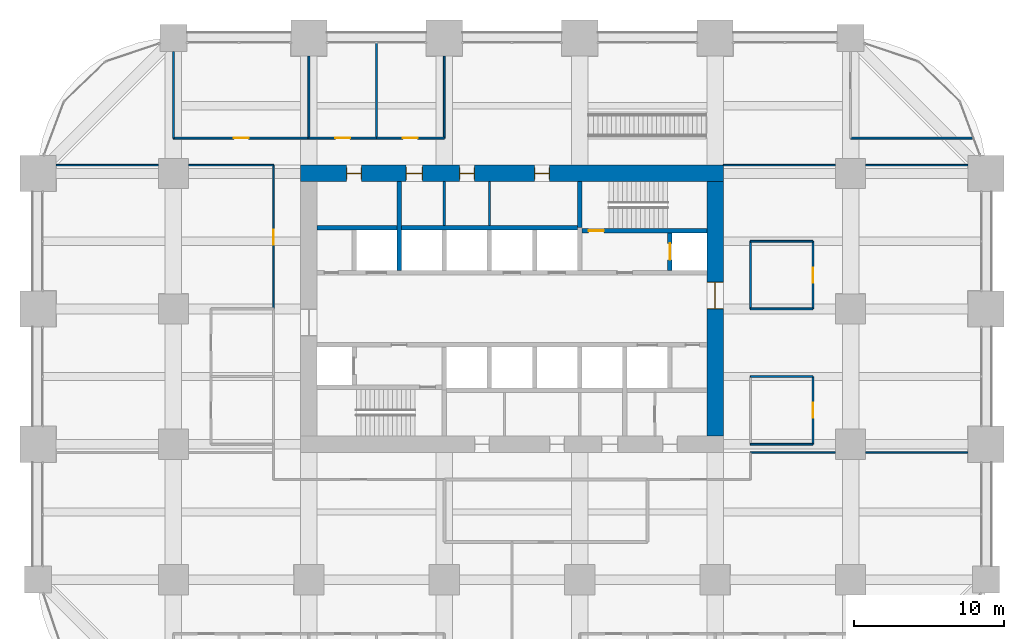
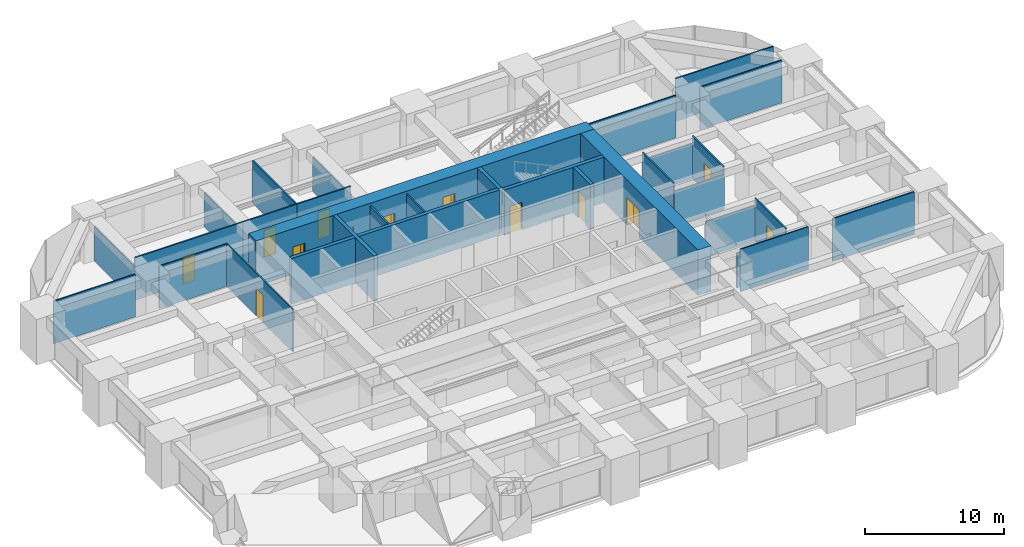
# One storey, part 38 of 41: 31 walls, 13 doors, 13 openings.
"""IFC4 building model written with IfcOpenShell, lengths in metres."""

import ifcopenshell
import ifcopenshell.guid

model = None  # the IFC model being written
_history = None  # IfcOwnerHistory: only IFC2X3 demands one
_inside = {}  # id of a spatial element -> (the spatial element, [elements in it])
_under = {}  # id of a project, library or spatial element -> (it, [spatial elements below it])
_declared = {}  # id of a project -> (the project, [libraries it declares])
_typed = {}  # id of a type object -> (the type object, [elements of that type])
_made_of = {}  # id of a material, layer set ... -> (it, [elements and type objects made of it])


def new_model(schema):
    """Start an empty IFC model of exactly this schema.

    Asked for "IFC4X3", IfcOpenShell would pick the latest addendum, in which some entities
    have other attributes; the version numbers below select the first issue.
    IFC2X3 requires an IfcOwnerHistory on every rooted entity: one is made here for all.
    """
    global model, _history
    if schema == "IFC4X3":
        model = ifcopenshell.file(schema_version=(4, 3, 0, 0))
    else:
        model = ifcopenshell.file(schema=schema)
    _inside.clear()
    _under.clear()
    _declared.clear()
    _typed.clear()
    _made_of.clear()
    _history = None
    if model.schema == "IFC2X3":
        org = make("IfcOrganization", Name="unknown")
        user = make(
            "IfcPersonAndOrganization",
            ThePerson=make("IfcPerson", FamilyName="unknown"),
            TheOrganization=org,
        )
        app = make(
            "IfcApplication",
            ApplicationDeveloper=org,
            Version="unknown",
            ApplicationFullName="unknown",
            ApplicationIdentifier="unknown",
        )
        _history = make(
            "IfcOwnerHistory",
            OwningUser=user,
            OwningApplication=app,
            ChangeAction="ADDED",
            CreationDate=0,
        )
    return model


def make(cls, **values):
    """One entity of the class cls with the attributes given. An attribute that is None is left unset."""
    return model.create_entity(
        cls, **{name: value for name, value in values.items() if value is not None}
    )


def rooted(cls, **values):
    """An entity with a GlobalId (a new one), such as an element, a storey or a relation."""
    return make(cls, GlobalId=ifcopenshell.guid.new(), OwnerHistory=_history, **values)


def si_unit(unit_type, name, prefix=None):
    """IfcSIUnit, for example si_unit("LENGTHUNIT", "METRE", prefix="MILLI")."""
    return make("IfcSIUnit", UnitType=unit_type, Prefix=prefix, Name=name)


def assignment(units):
    """IfcUnitAssignment: the units of a project."""
    return None if units is None else make("IfcUnitAssignment", Units=units)


def point(xyz):
    """IfcCartesianPoint."""
    return None if xyz is None else make("IfcCartesianPoint", Coordinates=xyz)


def direction(xyz):
    """IfcDirection."""
    return None if xyz is None else make("IfcDirection", DirectionRatios=xyz)


def frame(location, z_axis=None, x_axis=None):
    """IfcAxis2Placement3D, a coordinate frame: its origin and axes. An axis left out is left unset."""
    return make(
        "IfcAxis2Placement3D",
        Location=point(location),
        Axis=direction(z_axis),
        RefDirection=direction(x_axis),
    )


def frame_2d(location, x_axis=None):
    """IfcAxis2Placement2D, a coordinate frame in the plane: its origin and x axis."""
    return make(
        "IfcAxis2Placement2D", Location=point(location), RefDirection=direction(x_axis)
    )


def origin():
    """The frame at (0, 0, 0) with its axes left unset."""
    return frame((0.0, 0.0, 0.0))


def place(relative_to, where):
    """IfcLocalPlacement: puts the frame where relative to a parent placement (None: the world)."""
    return make(
        "IfcLocalPlacement", PlacementRelTo=relative_to, RelativePlacement=where
    )


def context(
    kind, dimensions, precision=None, world=None, true_north=None, identifier=None
):
    """IfcGeometricRepresentationContext, for example the 3D "Model" context."""
    return make(
        "IfcGeometricRepresentationContext",
        ContextIdentifier=identifier,
        ContextType=kind,
        CoordinateSpaceDimension=dimensions,
        Precision=precision,
        WorldCoordinateSystem=world,
        TrueNorth=true_north,
    )


def subcontext(parent, identifier, kind, view, scale=None):
    """IfcGeometricRepresentationSubContext, for example "Body" below "Model"."""
    return make(
        "IfcGeometricRepresentationSubContext",
        ContextIdentifier=identifier,
        ContextType=kind,
        ParentContext=parent,
        TargetScale=scale,
        TargetView=view,
    )


def project(units=None, contexts=None):
    """IfcProject with its units and contexts."""
    return rooted(
        "IfcProject",
        Name="project",
        RepresentationContexts=contexts,
        UnitsInContext=assignment(units),
    )


def spatial(cls, under=None, at=None, **own):
    """A site, building, storey or space (cls), placed at a placement, below another one or the project."""
    s = rooted(cls, ObjectPlacement=at, **own)
    if under is not None:
        _under.setdefault(under.id(), (under, []))[1].append(s)
    return s


def profile(cls, at=None, kind="AREA", **sizes):
    """A parametric profile (cls). Its sizes go by their IFC names, for example OverallWidth=200.0."""
    return make(cls, ProfileType=kind, Position=at, **sizes)


def rectangle(**sizes):
    """IfcRectangleProfileDef."""
    return profile("IfcRectangleProfileDef", **sizes)


def extrude(swept, where, along, depth):
    """IfcExtrudedAreaSolid: the profile swept, set in the frame where, extruded along a direction by depth."""
    return make(
        "IfcExtrudedAreaSolid",
        SweptArea=swept,
        Position=where,
        ExtrudedDirection=direction(along),
        Depth=depth,
    )


def shape(context_of_items, identifier, shape_type, items):
    """IfcShapeRepresentation: the items that make up one representation, for example the "Body"."""
    return make(
        "IfcShapeRepresentation",
        ContextOfItems=context_of_items,
        RepresentationIdentifier=identifier,
        RepresentationType=shape_type,
        Items=items,
    )


def material(Name=None, Category=None):
    """IfcMaterial."""
    return make("IfcMaterial", Name=Name, Category=Category)


def layer(
    of_material, thickness, ventilated=None, Name=None, Category=None, Priority=None
):
    """IfcMaterialLayer: one layer of a wall or slab, of a material (None: an air gap)."""
    return make(
        "IfcMaterialLayer",
        Material=of_material,
        LayerThickness=thickness,
        IsVentilated=ventilated,
        Name=Name,
        Category=Category,
        Priority=Priority,
    )


def layer_set(layers, Name=None):
    """IfcMaterialLayerSet."""
    return make("IfcMaterialLayerSet", MaterialLayers=layers, LayerSetName=Name)


def made_of(thing, what):
    """Note that an element or type object is made of a material, layer set ...; save() writes the relation."""
    if what is not None:
        _made_of.setdefault(what.id(), (what, []))[1].append(thing)
    return thing


def type_object(cls, material=None, **own):
    """A type object (cls), such as IfcWallType, which elements share."""
    return made_of(rooted(cls, **own), material)


def element(
    cls,
    number,
    at=None,
    inside=None,
    cuts=None,
    type_object=None,
    material=None,
    context=None,
    identifier="Body",
    shape_type=None,
    held_by="IfcProductDefinitionShape",
    body=None,
    shapes=None,
    **own,
):
    """One element of the class cls, such as IfcWall. Its Tag is "e" and its number.

    at: its placement. inside: the storey or other place that contains it. cuts: it is an
    opening in that element (IfcRelVoidsElement). A single representation is given by context,
    identifier, shape_type and body (its items); several are given by shapes. held_by: the class
    of the entity that holds the representations. save() writes the other relations.
    """
    e = rooted(cls, Tag="e%d" % number, ObjectPlacement=at, **own)
    if body is not None:
        shapes = [shape(context, identifier, shape_type, body)]
    if shapes is not None:
        e.Representation = make(held_by, Representations=shapes)
    if inside is not None:
        _inside.setdefault(inside.id(), (inside, []))[1].append(e)
    if cuts is not None:
        rooted(
            "IfcRelVoidsElement", RelatingBuildingElement=cuts, RelatedOpeningElement=e
        )
    if type_object is not None:
        _typed.setdefault(type_object.id(), (type_object, []))[1].append(e)
    return made_of(e, material)


def fill(opening, filler):
    """IfcRelFillsElement: the door or window that sits in an opening."""
    return rooted(
        "IfcRelFillsElement",
        RelatingOpeningElement=opening,
        RelatedBuildingElement=filler,
    )


def aggregate(whole, parts):
    """IfcRelAggregates: a whole, such as a stair, and the parts it consists of."""
    return rooted("IfcRelAggregates", RelatingObject=whole, RelatedObjects=parts)


def save(model, path):
    """Write the relations noted so far, then the file.

    IfcRelAggregates (storeys below a building ...), IfcRelContainedInSpatialStructure (elements
    in a storey), IfcRelDefinesByType, IfcRelAssociatesMaterial and IfcRelDeclares: one each for
    every whole, place, type object, material and project.
    """
    for whole, parts in _under.values():
        aggregate(whole, parts)
    for where, things in _inside.values():
        rooted(
            "IfcRelContainedInSpatialStructure",
            RelatedElements=things,
            RelatingStructure=where,
        )
    for kind, things in _typed.values():
        rooted("IfcRelDefinesByType", RelatedObjects=things, RelatingType=kind)
    for what, things in _made_of.values():
        rooted("IfcRelAssociatesMaterial", RelatedObjects=things, RelatingMaterial=what)
    for by, libraries in _declared.values():
        rooted("IfcRelDeclares", RelatingContext=by, RelatedDefinitions=libraries)
    model.write(path)


model = new_model("IFC4")

# Units and contexts
model_context = context("Model", 3, precision=1e-05, world=origin(), true_north=direction((0.0, 1.0)))
body_context = subcontext(model_context, "Body", "Model", "MODEL_VIEW")
ifc_project = project(units=[si_unit("LENGTHUNIT", "METRE"), si_unit("AREAUNIT", "SQUARE_METRE"), si_unit("VOLUMEUNIT", "CUBIC_METRE"), si_unit("PLANEANGLEUNIT", "RADIAN"), si_unit("MASSUNIT", "GRAM", prefix="KILO")], contexts=[model_context])

# Site, building, storey
site_placement = place(None, origin())
site = spatial("IfcSite", under=ifc_project, at=site_placement, CompositionType="ELEMENT")
building_placement = place(site_placement, origin())
building = spatial("IfcBuilding", under=site, at=building_placement, Name="Zorevar Civic Tower", CompositionType="ELEMENT")
storey_placement = place(building_placement, frame((0.0, 0.0, 97.0)))
storey = spatial("IfcBuildingStorey", under=building, at=storey_placement, Name="L23", CompositionType="ELEMENT", Elevation=97.0)

# Wall, openings, doors
ifc_material_1 = material(Name="Concrete C50/60", Category="concrete")
ifc_layer_1 = layer(ifc_material_1, 1.10009765625)
ifc_layer_set_1 = layer_set([ifc_layer_1], Name="Core wall 1100")
wall_type_1 = type_object("IfcWallType", Name="Core wall 1100", PredefinedType="SHEAR", material=ifc_layer_set_1)
wall_1_placement = place(storey_placement, frame((45.550048828125, 36.0, 0.0), z_axis=(0.0, 0.0, 1.0), x_axis=(-1.0, 0.0, 0.0)))
wall_1 = element("IfcWall", 1, at=wall_1_placement, inside=storey, type_object=wall_type_1, Name="Core wall N L23", PredefinedType="SHEAR", context=body_context, shape_type="SweptSolid", body=[
    extrude(rectangle(XDim=28.10009765625, YDim=1.10009765625, at=frame_2d((14.050048828125, 0.0))), origin(), (0.0, 0.0, 1.0), 4.0),
])
opening_1_placement = place(wall_1_placement, frame((11.550048828125, 0.0, 0.0)))
opening_1 = element("IfcOpeningElement", 2, at=opening_1_placement, cuts=wall_1, Name="Opening L23.07", PredefinedType="OPENING", context=body_context, shape_type="SweptSolid", body=[
    extrude(rectangle(XDim=1.0, YDim=2.39990234375, at=frame_2d((0.5, 1.199951171875))), frame((0.0, 0.56005859375, 0.0), z_axis=(0.0, -1.0, 0.0), x_axis=(1.0, 0.0, 0.0)), (0.0, 0.0, 1.0), 1.1201171875),
])
opening_2_placement = place(wall_1_placement, frame((16.550048828125, 0.0, 0.0)))
opening_2 = element("IfcOpeningElement", 3, at=opening_2_placement, cuts=wall_1, Name="Opening L23.08", PredefinedType="OPENING", context=body_context, shape_type="SweptSolid", body=[
    extrude(rectangle(XDim=1.0, YDim=2.39990234375, at=frame_2d((0.5, 1.199951171875))), frame((0.0, 0.56005859375, 0.0), z_axis=(0.0, -1.0, 0.0), x_axis=(1.0, 0.0, 0.0)), (0.0, 0.0, 1.0), 1.1201171875),
])
opening_3_placement = place(wall_1_placement, frame((20.0, 0.0, 0.0)))
opening_3 = element("IfcOpeningElement", 4, at=opening_3_placement, cuts=wall_1, Name="Opening L23.09", PredefinedType="OPENING", context=body_context, shape_type="SweptSolid", body=[
    extrude(rectangle(XDim=1.10009765625, YDim=2.39990234375, at=frame_2d((0.550048828125, 1.199951171875))), frame((0.0, 0.56005859375, 0.0), z_axis=(0.0, -1.0, 0.0), x_axis=(1.0, 0.0, 0.0)), (0.0, 0.0, 1.0), 1.1201171875),
])
opening_4_placement = place(wall_1_placement, frame((24.050048828125, 0.0, 0.0)))
opening_4 = element("IfcOpeningElement", 5, at=opening_4_placement, cuts=wall_1, Name="Opening L23.10", PredefinedType="OPENING", context=body_context, shape_type="SweptSolid", body=[
    extrude(rectangle(XDim=1.0, YDim=2.39990234375, at=frame_2d((0.5, 1.199951171875))), frame((0.0, 0.56005859375, 0.0), z_axis=(0.0, -1.0, 0.0), x_axis=(1.0, 0.0, 0.0)), (0.0, 0.0, 1.0), 1.1201171875),
])
ifc_material_2 = material(Name="Timber door set", Category="wood")
door_type_1 = type_object("IfcDoorType", Name="Door D1 1000x2400", OperationType="SINGLE_SWING_LEFT", PredefinedType="DOOR", material=ifc_material_2)
door_1_placement = place(opening_1_placement, origin())
door_1 = element("IfcDoor", 6, at=door_1_placement, inside=storey, type_object=door_type_1, Name="Door L23 06", OperationType="SINGLE_SWING_LEFT", OverallHeight=2.39990234375, OverallWidth=1.0, PredefinedType="DOOR", context=body_context, shape_type="SweptSolid", body=[
    extrude(rectangle(XDim=1.0, YDim=2.39990234375, at=frame_2d((0.5, 1.199951171875))), frame((0.0, 0.02490234375, 0.0), z_axis=(0.0, -1.0, 0.0), x_axis=(1.0, 0.0, 0.0)), (0.0, 0.0, 1.0), 0.050048828125),
    extrude(rectangle(XDim=0.04, YDim=2.39990234375, at=frame_2d((0.02001953125, 1.199951171875))), frame((0.0, 0.39990234375, 0.0), z_axis=(0.0, -1.0, 0.0), x_axis=(1.0, 0.0, 0.0)), (0.0, 0.0, 1.0), 0.800048828125),
    extrude(rectangle(XDim=0.04, YDim=2.39990234375, at=frame_2d((0.97998046875, 1.199951171875))), frame((0.0, 0.39990234375, 0.0), z_axis=(0.0, -1.0, 0.0), x_axis=(1.0, 0.0, 0.0)), (0.0, 0.0, 1.0), 0.800048828125),
    extrude(rectangle(XDim=1.0, YDim=0.04, at=frame_2d((0.5, 2.3798828125))), frame((0.0, 0.39990234375, 0.0), z_axis=(0.0, -1.0, 0.0), x_axis=(1.0, 0.0, 0.0)), (0.0, 0.0, 1.0), 0.800048828125),
])
fill(opening_1, door_1)
door_2_placement = place(opening_2_placement, origin())
door_2 = element("IfcDoor", 7, at=door_2_placement, inside=storey, type_object=door_type_1, Name="Door L23 07", OperationType="SINGLE_SWING_RIGHT", OverallHeight=2.39990234375, OverallWidth=1.0, PredefinedType="DOOR", context=body_context, shape_type="SweptSolid", body=[
    extrude(rectangle(XDim=1.0, YDim=2.39990234375, at=frame_2d((0.5, 1.199951171875))), frame((0.0, 0.02490234375, 0.0), z_axis=(0.0, -1.0, 0.0), x_axis=(1.0, 0.0, 0.0)), (0.0, 0.0, 1.0), 0.050048828125),
    extrude(rectangle(XDim=0.04, YDim=2.39990234375, at=frame_2d((0.02001953125, 1.199951171875))), frame((0.0, 0.39990234375, 0.0), z_axis=(0.0, -1.0, 0.0), x_axis=(1.0, 0.0, 0.0)), (0.0, 0.0, 1.0), 0.800048828125),
    extrude(rectangle(XDim=0.04, YDim=2.39990234375, at=frame_2d((0.97998046875, 1.199951171875))), frame((0.0, 0.39990234375, 0.0), z_axis=(0.0, -1.0, 0.0), x_axis=(1.0, 0.0, 0.0)), (0.0, 0.0, 1.0), 0.800048828125),
    extrude(rectangle(XDim=1.0, YDim=0.04, at=frame_2d((0.5, 2.3798828125))), frame((0.0, 0.39990234375, 0.0), z_axis=(0.0, -1.0, 0.0), x_axis=(1.0, 0.0, 0.0)), (0.0, 0.0, 1.0), 0.800048828125),
])
fill(opening_2, door_2)
door_3_placement = place(opening_4_placement, origin())
door_3 = element("IfcDoor", 8, at=door_3_placement, inside=storey, type_object=door_type_1, Name="Door L23 09", OperationType="SINGLE_SWING_RIGHT", OverallHeight=2.39990234375, OverallWidth=1.0, PredefinedType="DOOR", context=body_context, shape_type="SweptSolid", body=[
    extrude(rectangle(XDim=1.0, YDim=2.39990234375, at=frame_2d((0.5, 1.199951171875))), frame((0.0, 0.02490234375, 0.0), z_axis=(0.0, -1.0, 0.0), x_axis=(1.0, 0.0, 0.0)), (0.0, 0.0, 1.0), 0.050048828125),
    extrude(rectangle(XDim=0.04, YDim=2.39990234375, at=frame_2d((0.02001953125, 1.199951171875))), frame((0.0, 0.39990234375, 0.0), z_axis=(0.0, -1.0, 0.0), x_axis=(1.0, 0.0, 0.0)), (0.0, 0.0, 1.0), 0.800048828125),
    extrude(rectangle(XDim=0.04, YDim=2.39990234375, at=frame_2d((0.97998046875, 1.199951171875))), frame((0.0, 0.39990234375, 0.0), z_axis=(0.0, -1.0, 0.0), x_axis=(1.0, 0.0, 0.0)), (0.0, 0.0, 1.0), 0.800048828125),
    extrude(rectangle(XDim=1.0, YDim=0.04, at=frame_2d((0.5, 2.3798828125))), frame((0.0, 0.39990234375, 0.0), z_axis=(0.0, -1.0, 0.0), x_axis=(1.0, 0.0, 0.0)), (0.0, 0.0, 1.0), 0.800048828125),
])
fill(opening_4, door_3)
ifc_material_3 = material(Name="Timber door set", Category="wood")
door_type_2 = type_object("IfcDoorType", Name="Door D5 1100x2400", OperationType="SINGLE_SWING_LEFT", PredefinedType="DOOR", material=ifc_material_3)
door_4_placement = place(opening_3_placement, origin())
door_4 = element("IfcDoor", 9, at=door_4_placement, inside=storey, type_object=door_type_2, Name="Door L23 08", OperationType="SINGLE_SWING_RIGHT", OverallHeight=2.39990234375, OverallWidth=1.10009765625, PredefinedType="DOOR", context=body_context, shape_type="SweptSolid", body=[
    extrude(rectangle(XDim=1.10009765625, YDim=2.39990234375, at=frame_2d((0.550048828125, 1.199951171875))), frame((0.0, 0.02490234375, 0.0), z_axis=(0.0, -1.0, 0.0), x_axis=(1.0, 0.0, 0.0)), (0.0, 0.0, 1.0), 0.050048828125),
    extrude(rectangle(XDim=0.04, YDim=2.39990234375, at=frame_2d((0.02001953125, 1.199951171875))), frame((0.0, 0.43994140625, 0.0), z_axis=(0.0, -1.0, 0.0), x_axis=(1.0, 0.0, 0.0)), (0.0, 0.0, 1.0), 0.880126953125),
    extrude(rectangle(XDim=0.04, YDim=2.39990234375, at=frame_2d((1.080078125, 1.199951171875))), frame((0.0, 0.43994140625, 0.0), z_axis=(0.0, -1.0, 0.0), x_axis=(1.0, 0.0, 0.0)), (0.0, 0.0, 1.0), 0.880126953125),
    extrude(rectangle(XDim=1.10009765625, YDim=0.04, at=frame_2d((0.550048828125, 2.3798828125))), frame((0.0, 0.43994140625, 0.0), z_axis=(0.0, -1.0, 0.0), x_axis=(1.0, 0.0, 0.0)), (0.0, 0.0, 1.0), 0.880126953125),
])
fill(opening_3, door_4)

# Wall, opening, door
wall_2_placement = place(storey_placement, frame((45.0, 18.550048828125, 0.0), z_axis=(0.0, 0.0, 1.0), x_axis=(0.0, 1.0, 0.0)))
wall_2 = element("IfcWall", 10, at=wall_2_placement, inside=storey, type_object=wall_type_1, Name="Core wall E L23", PredefinedType="SHEAR", context=body_context, shape_type="SweptSolid", body=[
    extrude(rectangle(XDim=16.89990234375, YDim=1.10009765625, at=frame_2d((8.449951171875, 0.0))), origin(), (0.0, 0.0, 1.0), 4.0),
])
opening_5_placement = place(wall_2_placement, frame((8.449951171875, 0.0, 0.0)))
opening_5 = element("IfcOpeningElement", 11, at=opening_5_placement, cuts=wall_2, Name="Opening L23.02", PredefinedType="OPENING", context=body_context, shape_type="SweptSolid", body=[
    extrude(rectangle(XDim=1.800048828125, YDim=2.39990234375, at=frame_2d((0.89990234375, 1.199951171875))), frame((0.0, 0.56005859375, 0.0), z_axis=(0.0, -1.0, 0.0), x_axis=(1.0, 0.0, 0.0)), (0.0, 0.0, 1.0), 1.1201171875),
])
ifc_material_4 = material(Name="Steel door set", Category="steel")
door_type_3 = type_object("IfcDoorType", Name="Fire door FD2 1800x2400", OperationType="DOUBLE_DOOR_DOUBLE_SWING", PredefinedType="DOOR", material=ifc_material_4)
door_5_placement = place(opening_5_placement, origin())
door_5 = element("IfcDoor", 12, at=door_5_placement, inside=storey, type_object=door_type_3, Name="Door L23 01", OperationType="DOUBLE_DOOR_DOUBLE_SWING", OverallHeight=2.39990234375, OverallWidth=1.800048828125, PredefinedType="DOOR", context=body_context, shape_type="SweptSolid", body=[
    extrude(rectangle(XDim=1.800048828125, YDim=2.39990234375, at=frame_2d((0.89990234375, 1.199951171875))), frame((0.0, 0.030029296875, 0.0), z_axis=(0.0, -1.0, 0.0), x_axis=(1.0, 0.0, 0.0)), (0.0, 0.0, 1.0), 0.06005859375),
    extrude(rectangle(XDim=0.04, YDim=2.39990234375, at=frame_2d((0.02001953125, 1.199951171875))), frame((0.0, 0.5498046875, 0.0), z_axis=(0.0, -1.0, 0.0), x_axis=(1.0, 0.0, 0.0)), (0.0, 0.0, 1.0), 1.099609375),
    extrude(rectangle(XDim=0.04, YDim=2.39990234375, at=frame_2d((1.780029296875, 1.199951171875))), frame((0.0, 0.5498046875, 0.0), z_axis=(0.0, -1.0, 0.0), x_axis=(1.0, 0.0, 0.0)), (0.0, 0.0, 1.0), 1.099609375),
    extrude(rectangle(XDim=1.800048828125, YDim=0.04, at=frame_2d((0.89990234375, 2.3798828125))), frame((0.0, 0.5498046875, 0.0), z_axis=(0.0, -1.0, 0.0), x_axis=(1.0, 0.0, 0.0)), (0.0, 0.0, 1.0), 1.099609375),
])
fill(opening_5, door_5)

# Walls
ifc_material_5 = material(Name="Laminated glass in black aluminium frame", Category="aluminium")
ifc_layer_2 = layer(ifc_material_5, 0.10009765625)
ifc_layer_set_2 = layer_set([ifc_layer_2], Name="Glazed partition 100")
wall_type_2 = type_object("IfcWallType", Name="Glazed partition 100", PredefinedType="PARTITIONING", material=ifc_layer_set_2)
wall_3_placement = place(storey_placement, frame((47.35009765625, 17.449951171875, 0.0), z_axis=(0.0, 0.0, 1.0), x_axis=(1.0, 0.0, 0.0)))
element("IfcWall", 13, at=wall_3_placement, inside=storey, type_object=wall_type_2, Name="Glazed partition 100 L23", PredefinedType="PARTITIONING", context=body_context, shape_type="SweptSolid", body=[
    extrude(rectangle(XDim=5.64990234375, YDim=0.10009765625, at=frame_2d((2.824951171875, 0.0))), origin(), (0.0, 0.0, 1.0), 3.75),
])
for number, where, z_axis, x_axis, name in (
    (14, (55.0, 17.449951171875, 0.0), (0.0, 0.0, 1.0), (1.0, 0.0, 0.0), "Glazed partition 100 L23"),
    (15, (1.199951171875, 36.550048828125, 0.0), (0.0, 0.0, 1.0), (1.0, 0.0, 0.0), "Glazed partition 100 L23"),
):
    element("IfcWall", number, at=place(storey_placement, frame(where, z_axis=z_axis, x_axis=x_axis)), inside=storey, type_object=wall_type_2, Name=name, PredefinedType="PARTITIONING", context=body_context, shape_type="SweptSolid", body=[
        extrude(rectangle(XDim=6.800048828125, YDim=0.10009765625, at=frame_2d((3.39990234375, 0.0))), origin(), (0.0, 0.0, 1.0), 3.75),
    ])
wall_4_placement = place(storey_placement, frame((10.0, 36.550048828125, 0.0), z_axis=(0.0, 0.0, 1.0), x_axis=(1.0, 0.0, 0.0)))
element("IfcWall", 16, at=wall_4_placement, inside=storey, type_object=wall_type_2, Name="Glazed partition 100 L23", PredefinedType="PARTITIONING", context=body_context, shape_type="SweptSolid", body=[
    extrude(rectangle(XDim=5.64990234375, YDim=0.10009765625, at=frame_2d((2.824951171875, 0.0))), origin(), (0.0, 0.0, 1.0), 3.75),
])
wall_5_placement = place(storey_placement, frame((45.550048828125, 36.550048828125, 0.0), z_axis=(0.0, 0.0, 1.0), x_axis=(1.0, 0.0, 0.0)))
element("IfcWall", 17, at=wall_5_placement, inside=storey, type_object=wall_type_2, Name="Glazed partition 100 L23", PredefinedType="PARTITIONING", context=body_context, shape_type="SweptSolid", body=[
    extrude(rectangle(XDim=7.449951171875, YDim=0.10009765625, at=frame_2d((3.72509765625, 0.0))), origin(), (0.0, 0.0, 1.0), 3.75),
])
wall_6_placement = place(storey_placement, frame((55.0, 36.550048828125, 0.0), z_axis=(0.0, 0.0, 1.0), x_axis=(1.0, 0.0, 0.0)))
element("IfcWall", 18, at=wall_6_placement, inside=storey, type_object=wall_type_2, Name="Glazed partition 100 L23", PredefinedType="PARTITIONING", context=body_context, shape_type="SweptSolid", body=[
    extrude(rectangle(XDim=6.800048828125, YDim=0.10009765625, at=frame_2d((3.39990234375, 0.0))), origin(), (0.0, 0.0, 1.0), 3.75),
])

# Wall, opening, door
wall_7_placement = place(storey_placement, frame((15.64990234375, 27.0, 0.0), z_axis=(0.0, 0.0, 1.0), x_axis=(0.0, 1.0, 0.0)))
wall_7 = element("IfcWall", 19, at=wall_7_placement, inside=storey, type_object=wall_type_2, Name="Glazed partition 100 L23", PredefinedType="PARTITIONING", context=body_context, shape_type="SweptSolid", body=[
    extrude(rectangle(XDim=9.550048828125, YDim=0.10009765625, at=frame_2d((4.77490234375, 0.0))), origin(), (0.0, 0.0, 1.0), 3.75),
])
opening_6_placement = place(wall_7_placement, frame((4.27490234375, 0.0, 0.0)))
opening_6 = element("IfcOpeningElement", 20, at=opening_6_placement, cuts=wall_7, Name="Opening L23.33", PredefinedType="OPENING", context=body_context, shape_type="SweptSolid", body=[
    extrude(rectangle(XDim=1.0, YDim=2.39990234375, at=frame_2d((0.5, 1.199951171875))), frame((0.0, 0.06005859375, 0.0), z_axis=(0.0, -1.0, 0.0), x_axis=(1.0, 0.0, 0.0)), (0.0, 0.0, 1.0), 0.1201171875),
])
ifc_material_6 = material(Name="Timber door set", Category="wood")
door_type_4 = type_object("IfcDoorType", Name="Glazed door GD1 1000x2400", OperationType="SINGLE_SWING_LEFT", PredefinedType="DOOR", material=ifc_material_6)
door_6_placement = place(opening_6_placement, origin())
door_6 = element("IfcDoor", 21, at=door_6_placement, inside=storey, type_object=door_type_4, Name="Door L23 D1", OperationType="SINGLE_SWING_RIGHT", OverallHeight=2.39990234375, OverallWidth=1.0, PredefinedType="DOOR", context=body_context, shape_type="SweptSolid", body=[
    extrude(rectangle(XDim=1.0, YDim=2.39990234375, at=frame_2d((0.5, 1.199951171875))), frame((0.0, 0.02001953125, 0.0), z_axis=(0.0, -1.0, 0.0), x_axis=(1.0, 0.0, 0.0)), (0.0, 0.0, 1.0), 0.0400390625),
])
fill(opening_6, door_6)

ifc_material_7 = material(Name="Concrete C40/50", Category="concrete")
ifc_layer_3 = layer(ifc_material_7, 0.300048828125)
ifc_layer_set_3 = layer_set([ifc_layer_3], Name="Inner core wall 300")
wall_type_3 = type_object("IfcWallType", Name="Inner core wall 300", PredefinedType="SHEAR", material=ifc_layer_set_3)
wall_8_placement = place(storey_placement, frame((36.14990234375, 32.199951171875, 0.0), z_axis=(0.0, 0.0, 1.0), x_axis=(1.0, 0.0, 0.0)))
wall_8 = element("IfcWall", 22, at=wall_8_placement, inside=storey, type_object=wall_type_3, Name="Inner core wall N00 L23", PredefinedType="SHEAR", context=body_context, shape_type="SweptSolid", body=[
    extrude(rectangle(XDim=8.300048828125, YDim=0.300048828125, at=frame_2d((4.14990234375, 0.0))), origin(), (0.0, 0.0, 1.0), 4.0),
])
opening_7_placement = place(wall_8_placement, frame((0.449951171875, 0.0, 0.0)))
opening_7 = element("IfcOpeningElement", 23, at=opening_7_placement, cuts=wall_8, Name="Opening L23.12", PredefinedType="OPENING", context=body_context, shape_type="SweptSolid", body=[
    extrude(rectangle(XDim=1.0, YDim=2.39990234375, at=frame_2d((0.5, 1.199951171875))), frame((0.0, 0.159912109375, 0.0), z_axis=(0.0, -1.0, 0.0), x_axis=(1.0, 0.0, 0.0)), (0.0, 0.0, 1.0), 0.320068359375),
])
ifc_material_8 = material(Name="Steel door set", Category="steel")
door_type_5 = type_object("IfcDoorType", Name="Fire door FD1 1000x2400", OperationType="SINGLE_SWING_LEFT", PredefinedType="DOOR", material=ifc_material_8)
door_7_placement = place(opening_7_placement, origin())
door_7 = element("IfcDoor", 24, at=door_7_placement, inside=storey, type_object=door_type_5, Name="Door L23 11", OperationType="SINGLE_SWING_RIGHT", OverallHeight=2.39990234375, OverallWidth=1.0, PredefinedType="DOOR", context=body_context, shape_type="SweptSolid", body=[
    extrude(rectangle(XDim=1.0, YDim=2.39990234375, at=frame_2d((0.5, 1.199951171875))), frame((0.0, 0.030029296875, 0.0), z_axis=(0.0, -1.0, 0.0), x_axis=(1.0, 0.0, 0.0)), (0.0, 0.0, 1.0), 0.06005859375),
])
fill(opening_7, door_7)

# Wall
wall_9_placement = place(storey_placement, frame((36.0, 32.39990234375, 0.0), z_axis=(0.0, 0.0, 1.0), x_axis=(0.0, 1.0, 0.0)))
element("IfcWall", 25, at=wall_9_placement, inside=storey, type_object=wall_type_3, Name="Inner core wall N01 L23", PredefinedType="SHEAR", context=body_context, shape_type="SweptSolid", body=[
    extrude(rectangle(XDim=3.050048828125, YDim=0.300048828125, at=frame_2d((1.52490234375, 0.0))), origin(), (0.0, 0.0, 1.0), 4.0),
])

# Wall, opening, door
wall_10_placement = place(storey_placement, frame((42.0, 29.550048828125, 0.0), z_axis=(0.0, 0.0, 1.0), x_axis=(0.0, 1.0, 0.0)))
wall_10 = element("IfcWall", 26, at=wall_10_placement, inside=storey, type_object=wall_type_3, Name="Inner core wall N02 L23", PredefinedType="SHEAR", context=body_context, shape_type="SweptSolid", body=[
    extrude(rectangle(XDim=2.5, YDim=0.300048828125, at=frame_2d((1.25, 0.0))), origin(), (0.0, 0.0, 1.0), 4.0),
])
opening_8_placement = place(wall_10_placement, frame((0.699951171875, 0.0, 0.0)))
opening_8 = element("IfcOpeningElement", 27, at=opening_8_placement, cuts=wall_10, Name="Opening L23.FL2", PredefinedType="OPENING", context=body_context, shape_type="SweptSolid", body=[
    extrude(rectangle(XDim=1.10009765625, YDim=2.39990234375, at=frame_2d((0.550048828125, 1.199951171875))), frame((0.0, 0.159912109375, 0.0), z_axis=(0.0, -1.0, 0.0), x_axis=(1.0, 0.0, 0.0)), (0.0, 0.0, 1.0), 0.320068359375),
])
ifc_material_9 = material(Name="Steel door set", Category="steel")
door_type_6 = type_object("IfcDoorType", Name="Firefighting lift landing door LD3 1100x2400", OperationType="DOUBLE_DOOR_SLIDING", PredefinedType="DOOR", material=ifc_material_9)
door_8_placement = place(opening_8_placement, origin())
door_8 = element("IfcDoor", 28, at=door_8_placement, inside=storey, type_object=door_type_6, Name="Landing door FL2 L23", OperationType="DOUBLE_DOOR_SLIDING", OverallHeight=2.39990234375, OverallWidth=1.10009765625, PredefinedType="DOOR", context=body_context, shape_type="SweptSolid", body=[
    extrude(rectangle(XDim=1.10009765625, YDim=2.39990234375, at=frame_2d((0.550048828125, 1.199951171875))), frame((0.0, 0.030029296875, 0.0), z_axis=(0.0, -1.0, 0.0), x_axis=(1.0, 0.0, 0.0)), (0.0, 0.0, 1.0), 0.06005859375),
])
fill(opening_8, door_8)

# Walls
wall_11_placement = place(storey_placement, frame((18.550048828125, 32.39990234375, 0.0), z_axis=(0.0, 0.0, 1.0), x_axis=(1.0, 0.0, 0.0)))
element("IfcWall", 29, at=wall_11_placement, inside=storey, type_object=wall_type_3, Name="Inner core wall N04 L23", PredefinedType="SHEAR", context=body_context, shape_type="SweptSolid", body=[
    extrude(rectangle(XDim=17.300048828125, YDim=0.300048828125, at=frame_2d((8.64990234375, 0.0))), origin(), (0.0, 0.0, 1.0), 4.0),
])
wall_12_placement = place(storey_placement, frame((24.0, 29.550048828125, 0.0), z_axis=(0.0, 0.0, 1.0), x_axis=(0.0, 1.0, 0.0)))
element("IfcWall", 30, at=wall_12_placement, inside=storey, type_object=wall_type_3, Name="Inner core wall N08 L23", PredefinedType="SHEAR", context=body_context, shape_type="SweptSolid", body=[
    extrude(rectangle(XDim=5.89990234375, YDim=0.300048828125, at=frame_2d((2.949951171875, 0.0))), origin(), (0.0, 0.0, 1.0), 4.0),
])
ifc_material_10 = material(Name="Gypsum board on steel studs", Category="steel")
ifc_layer_4 = layer(ifc_material_10, 0.1201171875)
ifc_layer_set_4 = layer_set([ifc_layer_4], Name="Partition 120")
wall_type_4 = type_object("IfcWallType", Name="Partition 120", PredefinedType="PARTITIONING", material=ifc_layer_set_4)
wall_13_placement = place(storey_placement, frame((47.35009765625, 18.0, 0.0), z_axis=(0.0, 0.0, 1.0), x_axis=(1.0, 0.0, 0.0)))
element("IfcWall", 31, at=wall_13_placement, inside=storey, type_object=wall_type_4, Name="Partition 120 L23", PredefinedType="PARTITIONING", context=body_context, shape_type="SweptSolid", body=[
    extrude(rectangle(XDim=4.14990234375, YDim=0.1201171875, at=frame_2d((2.074951171875, 0.0))), origin(), (0.0, 0.0, 1.0), 3.050048828125),
])
wall_14_placement = place(storey_placement, frame((47.35009765625, 22.5, 0.0), z_axis=(0.0, 0.0, 1.0), x_axis=(1.0, 0.0, 0.0)))
element("IfcWall", 32, at=wall_14_placement, inside=storey, type_object=wall_type_4, Name="Partition 120 L23", PredefinedType="PARTITIONING", context=body_context, shape_type="SweptSolid", body=[
    extrude(rectangle(XDim=4.14990234375, YDim=0.1201171875, at=frame_2d((2.074951171875, 0.0))), origin(), (0.0, 0.0, 1.0), 3.10009765625),
])
wall_15_placement = place(storey_placement, frame((47.35009765625, 27.0, 0.0), z_axis=(0.0, 0.0, 1.0), x_axis=(1.0, 0.0, 0.0)))
element("IfcWall", 33, at=wall_15_placement, inside=storey, type_object=wall_type_4, Name="Partition 120 L23", PredefinedType="PARTITIONING", context=body_context, shape_type="SweptSolid", body=[
    extrude(rectangle(XDim=4.14990234375, YDim=0.1201171875, at=frame_2d((2.074951171875, 0.0))), origin(), (0.0, 0.0, 1.0), 3.050048828125),
])
wall_16_placement = place(storey_placement, frame((47.35009765625, 31.5, 0.0), z_axis=(0.0, 0.0, 1.0), x_axis=(1.0, 0.0, 0.0)))
element("IfcWall", 34, at=wall_16_placement, inside=storey, type_object=wall_type_4, Name="Partition 120 L23", PredefinedType="PARTITIONING", context=body_context, shape_type="SweptSolid", body=[
    extrude(rectangle(XDim=4.14990234375, YDim=0.1201171875, at=frame_2d((2.074951171875, 0.0))), origin(), (0.0, 0.0, 1.0), 3.10009765625),
])

# Wall, opening, door
wall_17_placement = place(storey_placement, frame((9.0, 38.35009765625, 0.0), z_axis=(0.0, 0.0, 1.0), x_axis=(1.0, 0.0, 0.0)))
wall_17 = element("IfcWall", 35, at=wall_17_placement, inside=storey, type_object=wall_type_4, Name="Partition 120 L23", PredefinedType="PARTITIONING", context=body_context, shape_type="SweptSolid", body=[
    extrude(rectangle(XDim=9.0, YDim=0.1201171875, at=frame_2d((4.5, 0.0))), origin(), (0.0, 0.0, 1.0), 3.75),
])
opening_9_placement = place(wall_17_placement, frame((4.0, 0.0, 0.0)))
opening_9 = element("IfcOpeningElement", 36, at=opening_9_placement, cuts=wall_17, Name="Opening L23.28", PredefinedType="OPENING", context=body_context, shape_type="SweptSolid", body=[
    extrude(rectangle(XDim=1.0, YDim=2.39990234375, at=frame_2d((0.5, 1.199951171875))), frame((0.0, 0.070068359375, 0.0), z_axis=(0.0, -1.0, 0.0), x_axis=(1.0, 0.0, 0.0)), (0.0, 0.0, 1.0), 0.14013671875),
])
door_9_placement = place(opening_9_placement, origin())
door_9 = element("IfcDoor", 37, at=door_9_placement, inside=storey, type_object=door_type_1, Name="Door L23 D1", OperationType="SINGLE_SWING_LEFT", OverallHeight=2.39990234375, OverallWidth=1.0, PredefinedType="DOOR", context=body_context, shape_type="SweptSolid", body=[
    extrude(rectangle(XDim=1.0, YDim=2.39990234375, at=frame_2d((0.5, 1.199951171875))), frame((0.0, 0.02490234375, 0.0), z_axis=(0.0, -1.0, 0.0), x_axis=(1.0, 0.0, 0.0)), (0.0, 0.0, 1.0), 0.050048828125),
])
fill(opening_9, door_9)

wall_18_placement = place(storey_placement, frame((18.0, 38.35009765625, 0.0), z_axis=(0.0, 0.0, 1.0), x_axis=(1.0, 0.0, 0.0)))
wall_18 = element("IfcWall", 38, at=wall_18_placement, inside=storey, type_object=wall_type_4, Name="Partition 120 L23", PredefinedType="PARTITIONING", context=body_context, shape_type="SweptSolid", body=[
    extrude(rectangle(XDim=4.5, YDim=0.1201171875, at=frame_2d((2.25, 0.0))), origin(), (0.0, 0.0, 1.0), 3.75),
])
opening_10_placement = place(wall_18_placement, frame((1.75, 0.0, 0.0)))
opening_10 = element("IfcOpeningElement", 39, at=opening_10_placement, cuts=wall_18, Name="Opening L23.29", PredefinedType="OPENING", context=body_context, shape_type="SweptSolid", body=[
    extrude(rectangle(XDim=1.0, YDim=2.39990234375, at=frame_2d((0.5, 1.199951171875))), frame((0.0, 0.070068359375, 0.0), z_axis=(0.0, -1.0, 0.0), x_axis=(1.0, 0.0, 0.0)), (0.0, 0.0, 1.0), 0.14013671875),
])
door_10_placement = place(opening_10_placement, origin())
door_10 = element("IfcDoor", 40, at=door_10_placement, inside=storey, type_object=door_type_1, Name="Door L23 D1", OperationType="SINGLE_SWING_LEFT", OverallHeight=2.39990234375, OverallWidth=1.0, PredefinedType="DOOR", context=body_context, shape_type="SweptSolid", body=[
    extrude(rectangle(XDim=1.0, YDim=2.39990234375, at=frame_2d((0.5, 1.199951171875))), frame((0.0, 0.02490234375, 0.0), z_axis=(0.0, -1.0, 0.0), x_axis=(1.0, 0.0, 0.0)), (0.0, 0.0, 1.0), 0.050048828125),
])
fill(opening_10, door_10)

wall_19_placement = place(storey_placement, frame((22.5, 38.35009765625, 0.0), z_axis=(0.0, 0.0, 1.0), x_axis=(1.0, 0.0, 0.0)))
wall_19 = element("IfcWall", 41, at=wall_19_placement, inside=storey, type_object=wall_type_4, Name="Partition 120 L23", PredefinedType="PARTITIONING", context=body_context, shape_type="SweptSolid", body=[
    extrude(rectangle(XDim=4.5, YDim=0.1201171875, at=frame_2d((2.25, 0.0))), origin(), (0.0, 0.0, 1.0), 3.75),
])
opening_11_placement = place(wall_19_placement, frame((1.75, 0.0, 0.0)))
opening_11 = element("IfcOpeningElement", 42, at=opening_11_placement, cuts=wall_19, Name="Opening L23.30", PredefinedType="OPENING", context=body_context, shape_type="SweptSolid", body=[
    extrude(rectangle(XDim=1.0, YDim=2.39990234375, at=frame_2d((0.5, 1.199951171875))), frame((0.0, 0.070068359375, 0.0), z_axis=(0.0, -1.0, 0.0), x_axis=(1.0, 0.0, 0.0)), (0.0, 0.0, 1.0), 0.14013671875),
])
door_11_placement = place(opening_11_placement, origin())
door_11 = element("IfcDoor", 43, at=door_11_placement, inside=storey, type_object=door_type_1, Name="Door L23 D1", OperationType="SINGLE_SWING_LEFT", OverallHeight=2.39990234375, OverallWidth=1.0, PredefinedType="DOOR", context=body_context, shape_type="SweptSolid", body=[
    extrude(rectangle(XDim=1.0, YDim=2.39990234375, at=frame_2d((0.5, 1.199951171875))), frame((0.0, 0.02490234375, 0.0), z_axis=(0.0, -1.0, 0.0), x_axis=(1.0, 0.0, 0.0)), (0.0, 0.0, 1.0), 0.050048828125),
])
fill(opening_11, door_11)

# Walls
wall_20_placement = place(storey_placement, frame((54.0, 38.35009765625, 0.0), z_axis=(0.0, 0.0, 1.0), x_axis=(1.0, 0.0, 0.0)))
element("IfcWall", 44, at=wall_20_placement, inside=storey, type_object=wall_type_4, Name="Partition 120 L23", PredefinedType="PARTITIONING", context=body_context, shape_type="SweptSolid", body=[
    extrude(rectangle(XDim=8.14453125, YDim=0.1201171875, at=frame_2d((4.072265625, 0.0))), origin(), (0.0, 0.0, 1.0), 3.75),
])
wall_21_placement = place(storey_placement, frame((9.0, 38.35009765625, 0.0), z_axis=(0.0, 0.0, 1.0), x_axis=(0.0, 1.0, 0.0)))
element("IfcWall", 45, at=wall_21_placement, inside=storey, type_object=wall_type_4, Name="Partition 120 L23", PredefinedType="PARTITIONING", context=body_context, shape_type="SweptSolid", body=[
    extrude(rectangle(XDim=5.75, YDim=0.1201171875, at=frame_2d((2.875, 0.0))), origin(), (0.0, 0.0, 1.0), 3.050048828125),
])
wall_22_placement = place(storey_placement, frame((18.0, 38.35009765625, 0.0), z_axis=(0.0, 0.0, 1.0), x_axis=(0.0, 1.0, 0.0)))
element("IfcWall", 46, at=wall_22_placement, inside=storey, type_object=wall_type_4, Name="Partition 120 L23", PredefinedType="PARTITIONING", context=body_context, shape_type="SweptSolid", body=[
    extrude(rectangle(XDim=5.449951171875, YDim=0.1201171875, at=frame_2d((2.72509765625, 0.0))), origin(), (0.0, 0.0, 1.0), 3.050048828125),
])
wall_23_placement = place(storey_placement, frame((22.5, 38.35009765625, 0.0), z_axis=(0.0, 0.0, 1.0), x_axis=(0.0, 1.0, 0.0)))
element("IfcWall", 47, at=wall_23_placement, inside=storey, type_object=wall_type_4, Name="Partition 120 L23", PredefinedType="PARTITIONING", context=body_context, shape_type="SweptSolid", body=[
    extrude(rectangle(XDim=6.33984375, YDim=0.1201171875, at=frame_2d((3.169921875, 0.0))), origin(), (0.0, 0.0, 1.0), 3.75),
])
wall_24_placement = place(storey_placement, frame((27.0, 38.35009765625, 0.0), z_axis=(0.0, 0.0, 1.0), x_axis=(0.0, 1.0, 0.0)))
element("IfcWall", 48, at=wall_24_placement, inside=storey, type_object=wall_type_4, Name="Partition 120 L23", PredefinedType="PARTITIONING", context=body_context, shape_type="SweptSolid", body=[
    extrude(rectangle(XDim=5.449951171875, YDim=0.1201171875, at=frame_2d((2.72509765625, 0.0))), origin(), (0.0, 0.0, 1.0), 3.050048828125),
])
wall_25_placement = place(storey_placement, frame((47.35009765625, 27.0, 0.0), z_axis=(0.0, 0.0, 1.0), x_axis=(0.0, 1.0, 0.0)))
element("IfcWall", 49, at=wall_25_placement, inside=storey, type_object=wall_type_4, Name="Partition 120 L23", PredefinedType="PARTITIONING", context=body_context, shape_type="SweptSolid", body=[
    extrude(rectangle(XDim=4.5, YDim=0.1201171875, at=frame_2d((2.25, 0.0))), origin(), (0.0, 0.0, 1.0), 3.75),
])

# Wall, opening, door
wall_26_placement = place(storey_placement, frame((51.5, 27.0, 0.0), z_axis=(0.0, 0.0, 1.0), x_axis=(0.0, 1.0, 0.0)))
wall_26 = element("IfcWall", 50, at=wall_26_placement, inside=storey, type_object=wall_type_4, Name="Partition 120 L23", PredefinedType="PARTITIONING", context=body_context, shape_type="SweptSolid", body=[
    extrude(rectangle(XDim=4.5, YDim=0.1201171875, at=frame_2d((2.25, 0.0))), origin(), (0.0, 0.0, 1.0), 3.75),
])
opening_12_placement = place(wall_26_placement, frame((1.75, 0.0, 0.0)))
opening_12 = element("IfcOpeningElement", 51, at=opening_12_placement, cuts=wall_26, Name="Opening L23.34", PredefinedType="OPENING", context=body_context, shape_type="SweptSolid", body=[
    extrude(rectangle(XDim=1.0, YDim=2.39990234375, at=frame_2d((0.5, 1.199951171875))), frame((0.0, 0.070068359375, 0.0), z_axis=(0.0, -1.0, 0.0), x_axis=(1.0, 0.0, 0.0)), (0.0, 0.0, 1.0), 0.14013671875),
])
door_12_placement = place(opening_12_placement, origin())
door_12 = element("IfcDoor", 52, at=door_12_placement, inside=storey, type_object=door_type_1, Name="Door L23 D1", OperationType="SINGLE_SWING_RIGHT", OverallHeight=2.39990234375, OverallWidth=1.0, PredefinedType="DOOR", context=body_context, shape_type="SweptSolid", body=[
    extrude(rectangle(XDim=1.0, YDim=2.39990234375, at=frame_2d((0.5, 1.199951171875))), frame((0.0, 0.02490234375, 0.0), z_axis=(0.0, -1.0, 0.0), x_axis=(1.0, 0.0, 0.0)), (0.0, 0.0, 1.0), 0.050048828125),
])
fill(opening_12, door_12)

wall_27_placement = place(storey_placement, frame((51.5, 18.0, 0.0), z_axis=(0.0, 0.0, 1.0), x_axis=(0.0, 1.0, 0.0)))
wall_27 = element("IfcWall", 53, at=wall_27_placement, inside=storey, type_object=wall_type_4, Name="Partition 120 L23", PredefinedType="PARTITIONING", context=body_context, shape_type="SweptSolid", body=[
    extrude(rectangle(XDim=4.5, YDim=0.1201171875, at=frame_2d((2.25, 0.0))), origin(), (0.0, 0.0, 1.0), 3.75),
])
opening_13_placement = place(wall_27_placement, frame((1.75, 0.0, 0.0)))
opening_13 = element("IfcOpeningElement", 54, at=opening_13_placement, cuts=wall_27, Name="Opening L23.35", PredefinedType="OPENING", context=body_context, shape_type="SweptSolid", body=[
    extrude(rectangle(XDim=1.0, YDim=2.39990234375, at=frame_2d((0.5, 1.199951171875))), frame((0.0, 0.070068359375, 0.0), z_axis=(0.0, -1.0, 0.0), x_axis=(1.0, 0.0, 0.0)), (0.0, 0.0, 1.0), 0.14013671875),
])
door_13_placement = place(opening_13_placement, origin())
door_13 = element("IfcDoor", 55, at=door_13_placement, inside=storey, type_object=door_type_1, Name="Door L23 D1", OperationType="SINGLE_SWING_LEFT", OverallHeight=2.39990234375, OverallWidth=1.0, PredefinedType="DOOR", context=body_context, shape_type="SweptSolid", body=[
    extrude(rectangle(XDim=1.0, YDim=2.39990234375, at=frame_2d((0.5, 1.199951171875))), frame((0.0, 0.02490234375, 0.0), z_axis=(0.0, -1.0, 0.0), x_axis=(1.0, 0.0, 0.0)), (0.0, 0.0, 1.0), 0.050048828125),
])
fill(opening_13, door_13)

# Walls
wall_28_placement = place(storey_placement, frame((30.0, 32.550048828125, 0.0), z_axis=(0.0, 0.0, 1.0), x_axis=(0.0, 1.0, 0.0)))
element("IfcWall", 56, at=wall_28_placement, inside=storey, type_object=wall_type_4, Name="Partition L23", PredefinedType="PARTITIONING", context=body_context, shape_type="SweptSolid", body=[
    extrude(rectangle(XDim=2.89990234375, YDim=0.1201171875, at=frame_2d((1.449951171875, 0.0))), origin(), (0.0, 0.0, 1.0), 3.75),
])
ifc_material_11 = material(Name="Gypsum board on steel studs, moisture resistant", Category="steel")
ifc_layer_5 = layer(ifc_material_11, 0.14990234375)
ifc_layer_set_5 = layer_set([ifc_layer_5], Name="WC partition 150")
wall_type_5 = type_object("IfcWallType", Name="WC partition 150", PredefinedType="PARTITIONING", material=ifc_layer_set_5)
wall_29_placement = place(storey_placement, frame((27.0, 32.550048828125, 0.0), z_axis=(0.0, 0.0, 1.0), x_axis=(0.0, 1.0, 0.0)))
element("IfcWall", 57, at=wall_29_placement, inside=storey, type_object=wall_type_5, Name="WC partition L23", PredefinedType="PARTITIONING", context=body_context, shape_type="SweptSolid", body=[
    extrude(rectangle(XDim=2.89990234375, YDim=0.14990234375, at=frame_2d((1.449951171875, 0.0))), origin(), (0.0, 0.0, 1.0), 3.75),
])

save(model, "model.ifc")
